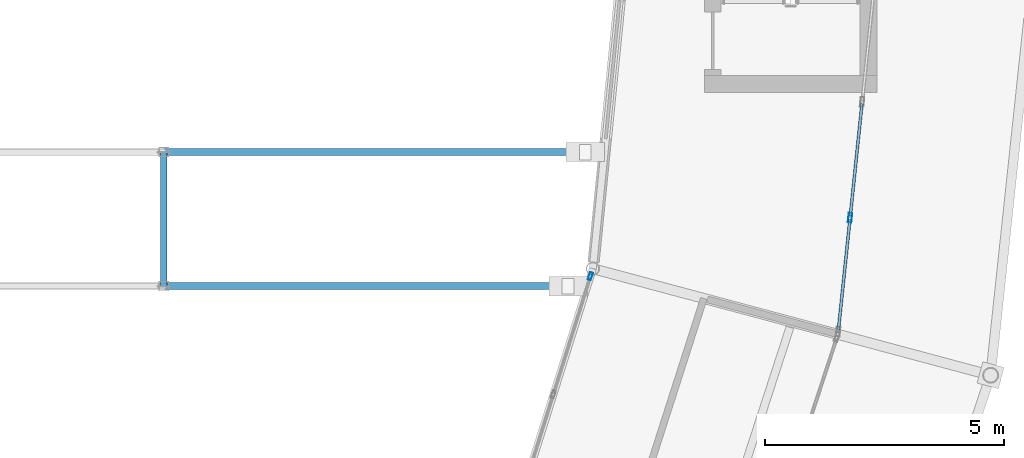
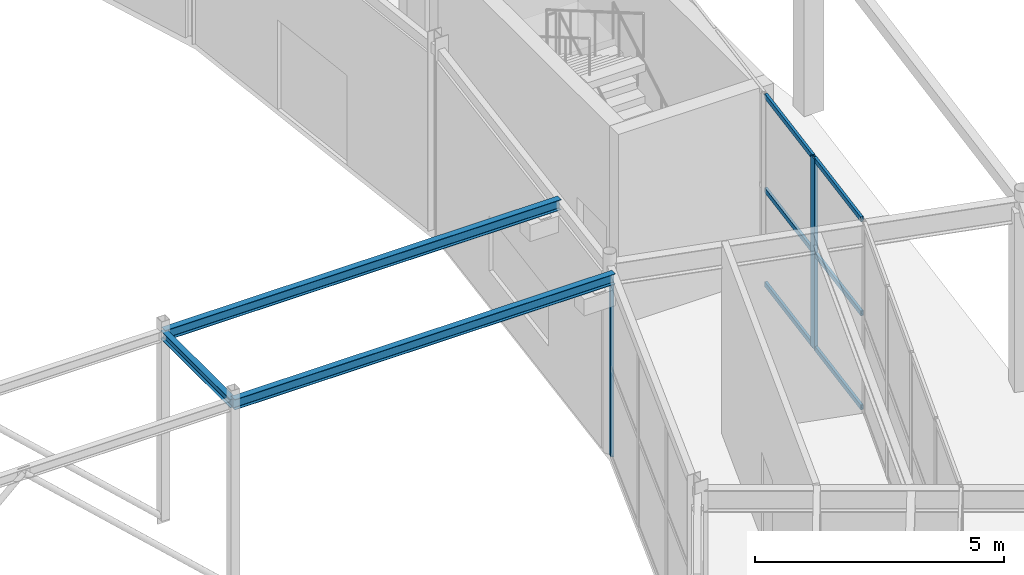
# One storey, part 64 of 144: 8 members, 3 beams, 2 elements without a shape of their own.
"""IFC4 building model written with IfcOpenShell, lengths in metres."""

from ifc_helpers import new_model, si_unit, direction, frame, origin, origin_2d, place, context, subcontext, project, spatial, hollow_rectangle, i_section, extrude, material, material_profile, profile_set, type_object, element, aggregate, save


model = new_model("IFC4")

# Units and contexts
model_context = context("Model", 3, precision=1e-05, world=origin(), true_north=direction((0.0, 1.0)))
body_context = subcontext(model_context, "Body", "Model", "MODEL_VIEW")
ifc_project = project(units=[si_unit("LENGTHUNIT", "METRE"), si_unit("AREAUNIT", "SQUARE_METRE"), si_unit("VOLUMEUNIT", "CUBIC_METRE"), si_unit("PLANEANGLEUNIT", "RADIAN"), si_unit("MASSUNIT", "GRAM", prefix="KILO")], contexts=[model_context])

# Site, building, storey
site_placement = place(None, origin())
site = spatial("IfcSite", under=ifc_project, at=site_placement, CompositionType="ELEMENT")
building_placement = place(site_placement, origin())
building = spatial("IfcBuilding", under=site, at=building_placement, Name="Karori Crest Natural Sciences Institute", CompositionType="ELEMENT")
storey_placement = place(building_placement, origin())
storey = spatial("IfcBuildingStorey", under=building, at=storey_placement, Name="L00", CompositionType="ELEMENT", Elevation=0.0)

# Beams
ifc_material_1 = material(Name="Structural steel AS/NZS 3679.1 Grade 350", Category="steel")
ifc_material_profile_1 = material_profile(ifc_material_1, i_section(OverallWidth=0.14599609375, OverallDepth=0.256103515625, WebThickness=0.00634765625, FlangeThickness=0.010986328125, FilletRadius=0.009033203125, at=origin_2d()), Name="250UB37.3")
ifc_profile_set_1 = profile_set([ifc_material_profile_1], Name="Structural steel AS/NZS 3679.1 Grade 350")
beam_type_1 = type_object("IfcBeamType", Name="BT-11", PredefinedType="BEAM", material=ifc_profile_set_1)
beam_1_placement = place(storey_placement, frame((81.010009765625, 41.199951171875, 4.511962890625), z_axis=(1.0, 0.0, 0.0), x_axis=(0.0, 1.0, 0.0)))
element("IfcBeam", 1, at=beam_1_placement, inside=storey, type_object=beam_type_1, Name="Beam B-2906", PredefinedType="BEAM", context=body_context, shape_type="SweptSolid", body=[
    extrude(i_section(OverallWidth=0.14599609375, OverallDepth=0.256103515625, WebThickness=0.00634765625, FlangeThickness=0.010986328125, FilletRadius=0.009033203125, at=origin_2d()), origin(), (0.0, 0.0, 1.0), 8.84375),
])
beam_2_placement = place(storey_placement, frame((81.010009765625, 44.0, 4.511962890625), z_axis=(1.0, 0.0, 0.0), x_axis=(0.0, 1.0, 0.0)))
element("IfcBeam", 2, at=beam_2_placement, inside=storey, type_object=beam_type_1, Name="Beam B-2908", PredefinedType="BEAM", context=body_context, shape_type="SweptSolid", body=[
    extrude(i_section(OverallWidth=0.14599609375, OverallDepth=0.256103515625, WebThickness=0.00634765625, FlangeThickness=0.010986328125, FilletRadius=0.009033203125, at=origin_2d()), origin(), (0.0, 0.0, 1.0), 9.201416015625),
])
ifc_material_profile_2 = material_profile(ifc_material_1, i_section(OverallWidth=0.134033203125, OverallDepth=0.20703125, WebThickness=0.00634765625, FlangeThickness=0.009521484375, FilletRadius=0.009033203125, at=origin_2d()), Name="200UB29.8")
ifc_profile_set_2 = profile_set([ifc_material_profile_2], Name="Structural steel AS/NZS 3679.1 Grade 350")
beam_type_2 = type_object("IfcBeamType", Name="BT-13", PredefinedType="BEAM", material=ifc_profile_set_2)
beam_3_placement = place(storey_placement, frame((81.010009765625, 41.199951171875, 4.52001953125), z_axis=(0.0, 1.0, 0.0), x_axis=(-1.0, 0.0, 0.0)))
element("IfcBeam", 3, at=beam_3_placement, inside=storey, type_object=beam_type_2, Name="Beam B-0725", PredefinedType="BEAM", context=body_context, shape_type="SweptSolid", body=[
    extrude(i_section(OverallWidth=0.134033203125, OverallDepth=0.20703125, WebThickness=0.00634765625, FlangeThickness=0.009521484375, FilletRadius=0.009033203125, at=origin_2d()), origin(), (0.0, 0.0, 1.0), 2.800048828125),
])

# Curtain wall, member
ifc_material_2 = material(Name="Anodised architectural aluminium 6063-T6", Category="aluminium")
curtain_wall_type_1 = type_object("IfcCurtainWallType", Name="CWT-13", PredefinedType="NOTDEFINED", material=ifc_material_2)
curtain_wall_1_placement = place(storey_placement, origin())
curtain_wall_1 = element("IfcCurtainWall", 4, at=curtain_wall_1_placement, inside=storey, type_object=curtain_wall_type_1, Name="Curtain wall CW-0029", PredefinedType="NOTDEFINED")
ifc_material_profile_3 = material_profile(ifc_material_2, hollow_rectangle(XDim=0.06494140625, YDim=0.159912109375, WallThickness=0.00390625, at=origin_2d()), Name="CWM160x65x4")
ifc_profile_set_3 = profile_set([ifc_material_profile_3], Name="Anodised architectural aluminium 6063-T6")
member_type_1 = type_object("IfcMemberType", Name="CWM-01", PredefinedType="MULLION", material=ifc_profile_set_3)
member_1_placement = place(storey_placement, frame((89.91845703125, 41.40673828125, 0.0), z_axis=(0.0, 0.0, 1.0), x_axis=(-0.954103649609, 0.2994765864, 0.0)))
member_1 = element("IfcMember", 5, at=member_1_placement, type_object=member_type_1, Name="CW-0029 mullion 4", PredefinedType="MULLION", context=body_context, shape_type="SweptSolid", body=[
    extrude(hollow_rectangle(XDim=0.06494140625, YDim=0.159912109375, WallThickness=0.00390625, at=origin_2d()), origin(), (0.0, 0.0, 1.0), 4.35009765625),
])
aggregate(curtain_wall_1, [member_1])

# Curtain wall, members
curtain_wall_type_2 = type_object("IfcCurtainWallType", Name="CWT-04", PredefinedType="NOTDEFINED", material=ifc_material_2)
curtain_wall_2_placement = place(storey_placement, origin())
curtain_wall_2 = element("IfcCurtainWall", 6, at=curtain_wall_2_placement, inside=storey, type_object=curtain_wall_type_2, Name="Curtain wall CW-0030", PredefinedType="NOTDEFINED")
ifc_material_profile_4 = material_profile(ifc_material_2, hollow_rectangle(XDim=0.074951171875, YDim=0.199951171875, WallThickness=0.0048828125, at=origin_2d()), Name="CWM200x75x5")
ifc_profile_set_4 = profile_set([ifc_material_profile_4], Name="Anodised architectural aluminium 6063-T6")
member_type_2 = type_object("IfcMemberType", Name="CWM-02", PredefinedType="MULLION", material=ifc_profile_set_4)
member_2_placement = place(storey_placement, frame((95.342041015625, 42.630615234375, 0.0), z_axis=(0.0, 0.0, 1.0), x_axis=(0.994608485589, -0.103701303727, 0.0)))
member_2 = element("IfcMember", 7, at=member_2_placement, type_object=member_type_2, Name="CW-0030 mullion 4", PredefinedType="MULLION", context=body_context, shape_type="SweptSolid", body=[
    extrude(hollow_rectangle(XDim=0.074951171875, YDim=0.199951171875, WallThickness=0.0048828125, at=origin_2d()), origin(), (0.0, 0.0, 1.0), 4.679931640625),
])
ifc_material_profile_5 = material_profile(ifc_material_2, hollow_rectangle(XDim=0.06005859375, YDim=0.1201171875, WallThickness=0.00390625, at=origin_2d()), Name="CWT120x60x4")
ifc_profile_set_5 = profile_set([ifc_material_profile_5], Name="Anodised architectural aluminium 6063-T6")
member_type_3 = type_object("IfcMemberType", Name="CWT-TR1", PredefinedType="USERDEFINED", material=ifc_profile_set_5)
member_3_placement = place(storey_placement, frame((95.590087890625, 45.009765625, 0.030029296875), z_axis=(-0.103691565975, -0.994609500832, 0.0), x_axis=(0.994609500832, -0.103691565975, 0.0)))
member_3 = element("IfcMember", 8, at=member_3_placement, type_object=member_type_3, Name="CW-0030 transom 3.1", ObjectType="TRANSOM", PredefinedType="USERDEFINED", context=body_context, shape_type="SweptSolid", body=[
    extrude(hollow_rectangle(XDim=0.06005859375, YDim=0.1201171875, WallThickness=0.00390625, at=origin_2d()), origin(), (0.0, 0.0, 1.0), 2.3544921875),
])
member_4_placement = place(storey_placement, frame((95.590087890625, 45.009765625, 2.340087890625), z_axis=(-0.103691565975, -0.994609500832, 0.0), x_axis=(0.994609500832, -0.103691565975, 0.0)))
member_4 = element("IfcMember", 9, at=member_4_placement, type_object=member_type_3, Name="CW-0030 transom 3.2", ObjectType="TRANSOM", PredefinedType="USERDEFINED", context=body_context, shape_type="SweptSolid", body=[
    extrude(hollow_rectangle(XDim=0.06005859375, YDim=0.1201171875, WallThickness=0.00390625, at=origin_2d()), origin(), (0.0, 0.0, 1.0), 2.3544921875),
])
member_5_placement = place(storey_placement, frame((95.590087890625, 45.009765625, 4.64990234375), z_axis=(-0.103691565975, -0.994609500832, 0.0), x_axis=(0.994609500832, -0.103691565975, 0.0)))
member_5 = element("IfcMember", 10, at=member_5_placement, type_object=member_type_3, Name="CW-0030 transom 3.3", ObjectType="TRANSOM", PredefinedType="USERDEFINED", context=body_context, shape_type="SweptSolid", body=[
    extrude(hollow_rectangle(XDim=0.06005859375, YDim=0.1201171875, WallThickness=0.00390625, at=origin_2d()), origin(), (0.0, 0.0, 1.0), 2.3544921875),
])
member_6_placement = place(storey_placement, frame((95.338134765625, 42.59326171875, 0.030029296875), z_axis=(-0.103686436593, -0.994610035575, 0.0), x_axis=(0.994610035575, -0.103686436593, 0.0)))
member_6 = element("IfcMember", 11, at=member_6_placement, type_object=member_type_3, Name="CW-0030 transom 4.1", ObjectType="TRANSOM", PredefinedType="USERDEFINED", context=body_context, shape_type="SweptSolid", body=[
    extrude(hollow_rectangle(XDim=0.06005859375, YDim=0.1201171875, WallThickness=0.00390625, at=origin_2d()), origin(), (0.0, 0.0, 1.0), 2.31689453125),
])
member_7_placement = place(storey_placement, frame((95.338134765625, 42.59326171875, 2.340087890625), z_axis=(-0.103686436593, -0.994610035575, 0.0), x_axis=(0.994610035575, -0.103686436593, 0.0)))
member_7 = element("IfcMember", 12, at=member_7_placement, type_object=member_type_3, Name="CW-0030 transom 4.2", ObjectType="TRANSOM", PredefinedType="USERDEFINED", context=body_context, shape_type="SweptSolid", body=[
    extrude(hollow_rectangle(XDim=0.06005859375, YDim=0.1201171875, WallThickness=0.00390625, at=origin_2d()), origin(), (0.0, 0.0, 1.0), 2.31689453125),
])
member_8_placement = place(storey_placement, frame((95.338134765625, 42.59326171875, 4.64990234375), z_axis=(-0.103686436593, -0.994610035575, 0.0), x_axis=(0.994610035575, -0.103686436593, 0.0)))
member_8 = element("IfcMember", 13, at=member_8_placement, type_object=member_type_3, Name="CW-0030 transom 4.3", ObjectType="TRANSOM", PredefinedType="USERDEFINED", context=body_context, shape_type="SweptSolid", body=[
    extrude(hollow_rectangle(XDim=0.06005859375, YDim=0.1201171875, WallThickness=0.00390625, at=origin_2d()), origin(), (0.0, 0.0, 1.0), 2.31689453125),
])
aggregate(curtain_wall_2, [member_2, member_3, member_4, member_5, member_6, member_7, member_8])

save(model, "model.ifc")
